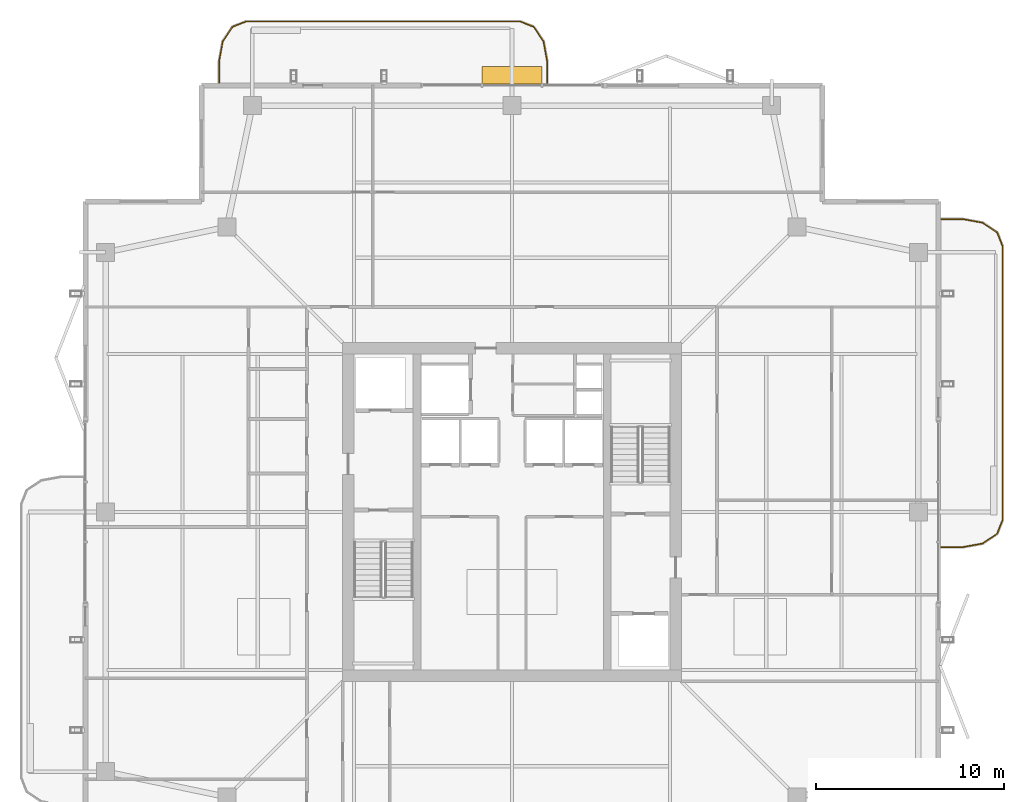
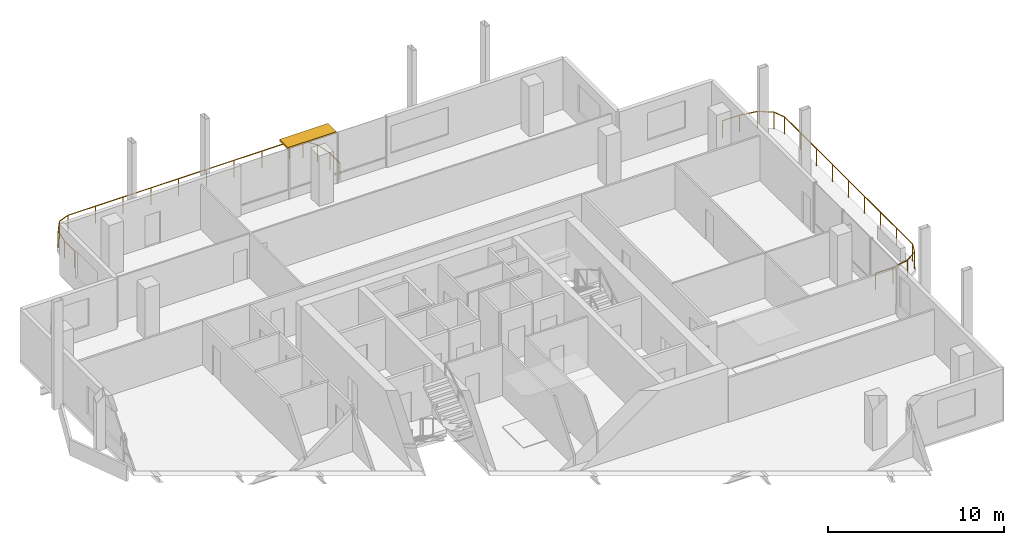
# One storey, part 20 of 20: 2 railings, 1 shading device.
"""IFC4 building model written with IfcOpenShell, lengths in metres."""

from ifc_helpers import new_model, si_unit, direction, frame, origin, origin_2d, place, context, subcontext, project, spatial, rectangle, extrude, material, layer, layer_set, type_object, element, save


model = new_model("IFC4")

# Units and contexts
model_context = context("Model", 3, precision=1e-05, world=origin(), true_north=direction((0.0, 1.0)))
body_context = subcontext(model_context, "Body", "Model", "MODEL_VIEW")
ifc_project = project(units=[si_unit("LENGTHUNIT", "METRE"), si_unit("AREAUNIT", "SQUARE_METRE"), si_unit("VOLUMEUNIT", "CUBIC_METRE"), si_unit("PLANEANGLEUNIT", "RADIAN"), si_unit("MASSUNIT", "GRAM", prefix="KILO")], contexts=[model_context])

# Site, building, storey
site_placement = place(None, origin())
site = spatial("IfcSite", under=ifc_project, at=site_placement, CompositionType="ELEMENT")
building_placement = place(site_placement, origin())
building = spatial("IfcBuilding", under=site, at=building_placement, Name="Belovzor Exchange Tower", CompositionType="ELEMENT")
storey_placement = place(building_placement, frame((0.0, 0.0, 306.75)))
storey = spatial("IfcBuildingStorey", under=building, at=storey_placement, Name="L76", CompositionType="ELEMENT", Elevation=306.75)

# Railings
ifc_material_1 = material(Name="Stainless Steel and Laminated Safety Glass", Category="steel")
railing_type = type_object("IfcRailingType", Name="Laminated Glass & Stainless Steel Balcony Balustrade 1200", PredefinedType="BALUSTRADE", material=ifc_material_1)
railing_1_placement = place(storey_placement, frame((30.669921875, 51.610107421875, 0.0)))
element("IfcRailing", 1, at=railing_1_placement, inside=storey, type_object=railing_type, Name="GR-1 Balcony Balustrade L76 North", PredefinedType="BALUSTRADE", context=body_context, shape_type="SweptSolid", body=[
    extrude(rectangle(XDim=0.048095703125, YDim=0.048095703125, at=origin_2d()), frame((0.0, 0.0, 1.17578125), z_axis=(0.0, 1.0, 0.0), x_axis=(-1.0, 0.0, 0.0)), (0.0, 0.0, 1.0), 1.1328125),
    extrude(rectangle(XDim=0.048095703125, YDim=0.048095703125, at=origin_2d()), frame((0.0, 1.1328125, 1.17578125), z_axis=(-0.180083182347, 0.983651385113, 0.0), x_axis=(-0.983651385113, -0.180083182347, 0.0)), (0.0, 0.0, 1.0), 1.093994140625),
    extrude(rectangle(XDim=0.048095703125, YDim=0.048095703125, at=origin_2d()), frame((-0.197021484375, 2.208984375, 1.17578125), z_axis=(-0.562768145367, 0.826614792125, 0.0), x_axis=(-0.826614792125, -0.562768145367, 0.0)), (0.0, 0.0, 1.0), 0.9326171875),
    extrude(rectangle(XDim=0.048095703125, YDim=0.048095703125, at=origin_2d()), frame((-0.721923828125, 2.97998046875, 1.17578125), z_axis=(-0.930766990125, 0.365612923861, 0.0), x_axis=(-0.365612923861, -0.930766990125, 0.0)), (0.0, 0.0, 1.0), 0.765869140625),
    extrude(rectangle(XDim=0.048095703125, YDim=0.048095703125, at=origin_2d()), frame((-1.434814453125, 3.260009765625, 1.17578125), z_axis=(-1.0, 0.0, 0.0), x_axis=(0.0, -1.0, 0.0)), (0.0, 0.0, 1.0), 14.570068359375),
    extrude(rectangle(XDim=0.048095703125, YDim=0.048095703125, at=origin_2d()), frame((-16.0048828125, 3.260009765625, 1.17578125), z_axis=(-0.930809580156, -0.365504480807, 0.0), x_axis=(0.365504480807, -0.930809580156, 0.0)), (0.0, 0.0, 1.0), 0.76611328125),
    extrude(rectangle(XDim=0.048095703125, YDim=0.048095703125, at=origin_2d()), frame((-16.718017578125, 2.97998046875, 1.17578125), z_axis=(-0.562768145367, -0.826614792125, 0.0), x_axis=(0.826614792125, -0.562768145367, 0.0)), (0.0, 0.0, 1.0), 0.9326171875),
    extrude(rectangle(XDim=0.048095703125, YDim=0.048095703125, at=origin_2d()), frame((-17.242919921875, 2.208984375, 1.17578125), z_axis=(-0.180083182347, -0.983651385113, 0.0), x_axis=(0.983651385113, -0.180083182347, 0.0)), (0.0, 0.0, 1.0), 1.093994140625),
    extrude(rectangle(XDim=0.048095703125, YDim=0.048095703125, at=origin_2d()), frame((-17.43994140625, 1.1328125, 1.17578125), z_axis=(0.0, -1.0, 0.0), x_axis=(1.0, 0.0, 0.0)), (0.0, 0.0, 1.0), 1.1328125),
    extrude(rectangle(XDim=0.0419921875, YDim=0.0419921875, at=origin_2d()), origin(), (0.0, 0.0, 1.0), 1.15185546875),
    extrude(rectangle(XDim=0.0419921875, YDim=0.0419921875, at=origin_2d()), frame((0.0, 1.1328125, 0.0)), (0.0, 0.0, 1.0), 1.15185546875),
    extrude(rectangle(XDim=0.0419921875, YDim=0.0419921875, at=origin_2d()), frame((-0.197021484375, 2.208984375, 0.0)), (0.0, 0.0, 1.0), 1.15185546875),
    extrude(rectangle(XDim=0.0419921875, YDim=0.0419921875, at=origin_2d()), frame((-0.721923828125, 2.97998046875, 0.0)), (0.0, 0.0, 1.0), 1.15185546875),
    extrude(rectangle(XDim=0.0419921875, YDim=0.0419921875, at=origin_2d()), frame((-1.434814453125, 3.260009765625, 0.0)), (0.0, 0.0, 1.0), 1.15185546875),
    extrude(rectangle(XDim=0.0419921875, YDim=0.0419921875, at=origin_2d()), frame((-3.256103515625, 3.260009765625, 0.0)), (0.0, 0.0, 1.0), 1.15185546875),
    extrude(rectangle(XDim=0.0419921875, YDim=0.0419921875, at=origin_2d()), frame((-5.077392578125, 3.260009765625, 0.0)), (0.0, 0.0, 1.0), 1.15185546875),
    extrude(rectangle(XDim=0.0419921875, YDim=0.0419921875, at=origin_2d()), frame((-6.898681640625, 3.260009765625, 0.0)), (0.0, 0.0, 1.0), 1.15185546875),
    extrude(rectangle(XDim=0.0419921875, YDim=0.0419921875, at=origin_2d()), frame((-8.7197265625, 3.260009765625, 0.0)), (0.0, 0.0, 1.0), 1.15185546875),
    extrude(rectangle(XDim=0.0419921875, YDim=0.0419921875, at=origin_2d()), frame((-10.541015625, 3.260009765625, 0.0)), (0.0, 0.0, 1.0), 1.15185546875),
    extrude(rectangle(XDim=0.0419921875, YDim=0.0419921875, at=origin_2d()), frame((-12.3623046875, 3.260009765625, 0.0)), (0.0, 0.0, 1.0), 1.15185546875),
    extrude(rectangle(XDim=0.0419921875, YDim=0.0419921875, at=origin_2d()), frame((-14.18359375, 3.260009765625, 0.0)), (0.0, 0.0, 1.0), 1.15185546875),
    extrude(rectangle(XDim=0.0419921875, YDim=0.0419921875, at=origin_2d()), frame((-16.0048828125, 3.260009765625, 0.0)), (0.0, 0.0, 1.0), 1.15185546875),
    extrude(rectangle(XDim=0.0419921875, YDim=0.0419921875, at=origin_2d()), frame((-16.718017578125, 2.97998046875, 0.0)), (0.0, 0.0, 1.0), 1.15185546875),
    extrude(rectangle(XDim=0.0419921875, YDim=0.0419921875, at=origin_2d()), frame((-17.242919921875, 2.208984375, 0.0)), (0.0, 0.0, 1.0), 1.15185546875),
    extrude(rectangle(XDim=0.0419921875, YDim=0.0419921875, at=origin_2d()), frame((-17.43994140625, 1.1328125, 0.0)), (0.0, 0.0, 1.0), 1.15185546875),
    extrude(rectangle(XDim=0.0419921875, YDim=0.0419921875, at=origin_2d()), frame((-17.43994140625, 0.0, 0.0)), (0.0, 0.0, 1.0), 1.15185546875),
])
railing_2_placement = place(storey_placement, frame((51.610107421875, 26.929931640625, 0.0)))
element("IfcRailing", 2, at=railing_2_placement, inside=storey, type_object=railing_type, Name="GR-1 Balcony Balustrade L76 East", PredefinedType="BALUSTRADE", context=body_context, shape_type="SweptSolid", body=[
    extrude(rectangle(XDim=0.048095703125, YDim=0.048095703125, at=origin_2d()), frame((0.0, 0.0, 1.17578125), z_axis=(1.0, 0.0, 0.0), x_axis=(0.0, 1.0, 0.0)), (0.0, 0.0, 1.0), 1.1328125),
    extrude(rectangle(XDim=0.048095703125, YDim=0.048095703125, at=origin_2d()), frame((1.1328125, 0.0, 1.17578125), z_axis=(0.983651385113, 0.180083182347, 0.0), x_axis=(-0.180083182347, 0.983651385113, 0.0)), (0.0, 0.0, 1.0), 1.093994140625),
    extrude(rectangle(XDim=0.048095703125, YDim=0.048095703125, at=origin_2d()), frame((2.208984375, 0.197021484375, 1.17578125), z_axis=(0.826493025367, 0.56294695933, 0.0), x_axis=(-0.56294695933, 0.826493025367, 0.0)), (0.0, 0.0, 1.0), 0.932861328125),
    extrude(rectangle(XDim=0.048095703125, YDim=0.048095703125, at=origin_2d()), frame((2.97998046875, 0.72216796875, 1.17578125), z_axis=(0.365612923861, 0.930766990125, 0.0), x_axis=(-0.930766990125, 0.365612923861, 0.0)), (0.0, 0.0, 1.0), 0.765869140625),
    extrude(rectangle(XDim=0.048095703125, YDim=0.048095703125, at=origin_2d()), frame((3.260009765625, 1.43505859375, 1.17578125), z_axis=(0.0, 1.0, 0.0), x_axis=(-1.0, 0.0, 0.0)), (0.0, 0.0, 1.0), 14.570068359375),
    extrude(rectangle(XDim=0.048095703125, YDim=0.048095703125, at=origin_2d()), frame((3.260009765625, 16.005126953125, 1.17578125), z_axis=(-0.365612923861, 0.930766990125, 0.0), x_axis=(-0.930766990125, -0.365612923861, 0.0)), (0.0, 0.0, 1.0), 0.765869140625),
    extrude(rectangle(XDim=0.048095703125, YDim=0.048095703125, at=origin_2d()), frame((2.97998046875, 16.718017578125, 1.17578125), z_axis=(-0.826493025367, 0.56294695933, 0.0), x_axis=(-0.56294695933, -0.826493025367, 0.0)), (0.0, 0.0, 1.0), 0.932861328125),
    extrude(rectangle(XDim=0.048095703125, YDim=0.048095703125, at=origin_2d()), frame((2.208984375, 17.2431640625, 1.17578125), z_axis=(-0.983651385113, 0.180083182347, 0.0), x_axis=(-0.180083182347, -0.983651385113, 0.0)), (0.0, 0.0, 1.0), 1.093994140625),
    extrude(rectangle(XDim=0.048095703125, YDim=0.048095703125, at=origin_2d()), frame((1.1328125, 17.440185546875, 1.17578125), z_axis=(-1.0, 0.0, 0.0), x_axis=(0.0, -1.0, 0.0)), (0.0, 0.0, 1.0), 1.1328125),
    extrude(rectangle(XDim=0.0419921875, YDim=0.0419921875, at=origin_2d()), origin(), (0.0, 0.0, 1.0), 1.15185546875),
    extrude(rectangle(XDim=0.0419921875, YDim=0.0419921875, at=origin_2d()), frame((1.1328125, 0.0, 0.0)), (0.0, 0.0, 1.0), 1.15185546875),
    extrude(rectangle(XDim=0.0419921875, YDim=0.0419921875, at=origin_2d()), frame((2.208984375, 0.197021484375, 0.0)), (0.0, 0.0, 1.0), 1.15185546875),
    extrude(rectangle(XDim=0.0419921875, YDim=0.0419921875, at=origin_2d()), frame((2.97998046875, 0.72216796875, 0.0)), (0.0, 0.0, 1.0), 1.15185546875),
    extrude(rectangle(XDim=0.0419921875, YDim=0.0419921875, at=origin_2d()), frame((3.260009765625, 1.43505859375, 0.0)), (0.0, 0.0, 1.0), 1.15185546875),
    extrude(rectangle(XDim=0.0419921875, YDim=0.0419921875, at=origin_2d()), frame((3.260009765625, 3.25634765625, 0.0)), (0.0, 0.0, 1.0), 1.15185546875),
    extrude(rectangle(XDim=0.0419921875, YDim=0.0419921875, at=origin_2d()), frame((3.260009765625, 5.07763671875, 0.0)), (0.0, 0.0, 1.0), 1.15185546875),
    extrude(rectangle(XDim=0.0419921875, YDim=0.0419921875, at=origin_2d()), frame((3.260009765625, 6.89892578125, 0.0)), (0.0, 0.0, 1.0), 1.15185546875),
    extrude(rectangle(XDim=0.0419921875, YDim=0.0419921875, at=origin_2d()), frame((3.260009765625, 8.72021484375, 0.0)), (0.0, 0.0, 1.0), 1.15185546875),
    extrude(rectangle(XDim=0.0419921875, YDim=0.0419921875, at=origin_2d()), frame((3.260009765625, 10.541259765625, 0.0)), (0.0, 0.0, 1.0), 1.15185546875),
    extrude(rectangle(XDim=0.0419921875, YDim=0.0419921875, at=origin_2d()), frame((3.260009765625, 12.362548828125, 0.0)), (0.0, 0.0, 1.0), 1.15185546875),
    extrude(rectangle(XDim=0.0419921875, YDim=0.0419921875, at=origin_2d()), frame((3.260009765625, 14.183837890625, 0.0)), (0.0, 0.0, 1.0), 1.15185546875),
    extrude(rectangle(XDim=0.0419921875, YDim=0.0419921875, at=origin_2d()), frame((3.260009765625, 16.005126953125, 0.0)), (0.0, 0.0, 1.0), 1.15185546875),
    extrude(rectangle(XDim=0.0419921875, YDim=0.0419921875, at=origin_2d()), frame((2.97998046875, 16.718017578125, 0.0)), (0.0, 0.0, 1.0), 1.15185546875),
    extrude(rectangle(XDim=0.0419921875, YDim=0.0419921875, at=origin_2d()), frame((2.208984375, 17.2431640625, 0.0)), (0.0, 0.0, 1.0), 1.15185546875),
    extrude(rectangle(XDim=0.0419921875, YDim=0.0419921875, at=origin_2d()), frame((1.1328125, 17.440185546875, 0.0)), (0.0, 0.0, 1.0), 1.15185546875),
    extrude(rectangle(XDim=0.0419921875, YDim=0.0419921875, at=origin_2d()), frame((0.0, 17.440185546875, 0.0)), (0.0, 0.0, 1.0), 1.15185546875),
])

# Shading device
ifc_material_2 = material(Name="Extruded Architectural Terracotta", Category="masonry")
ifc_layer = layer(ifc_material_2, 0.1201171875)
ifc_layer_set = layer_set([ifc_layer], Name="Extruded Architectural Terracotta")
shading_device_type = type_object("IfcShadingDeviceType", Name="Streamline Terracotta Horizontal Sunshade Hood 950", PredefinedType="AWNING", material=ifc_layer_set)
shading_device_placement = place(storey_placement, frame((28.800048828125, 52.014892578125, 3.389892578125), z_axis=(0.0, 0.0, 1.0), x_axis=(1.0, 0.0, 0.0)))
element("IfcShadingDevice", 3, at=shading_device_placement, inside=storey, type_object=shading_device_type, Name="SHD-TC095 Terracotta Sunshade L76 N", PredefinedType="AWNING", context=body_context, shape_type="SweptSolid", body=[
    extrude(rectangle(XDim=3.199951171875, YDim=0.949951171875, at=origin_2d()), origin(), (0.0, 0.0, 1.0), 0.1201171875),
])

save(model, "model.ifc")
